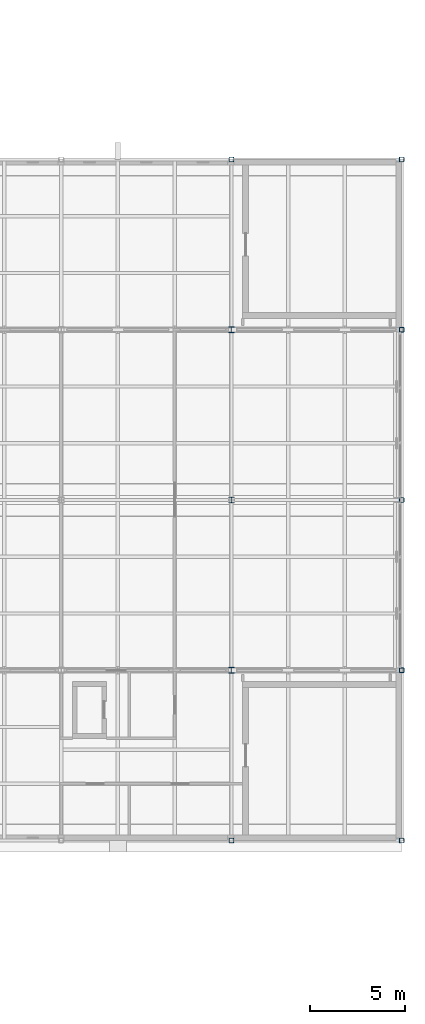
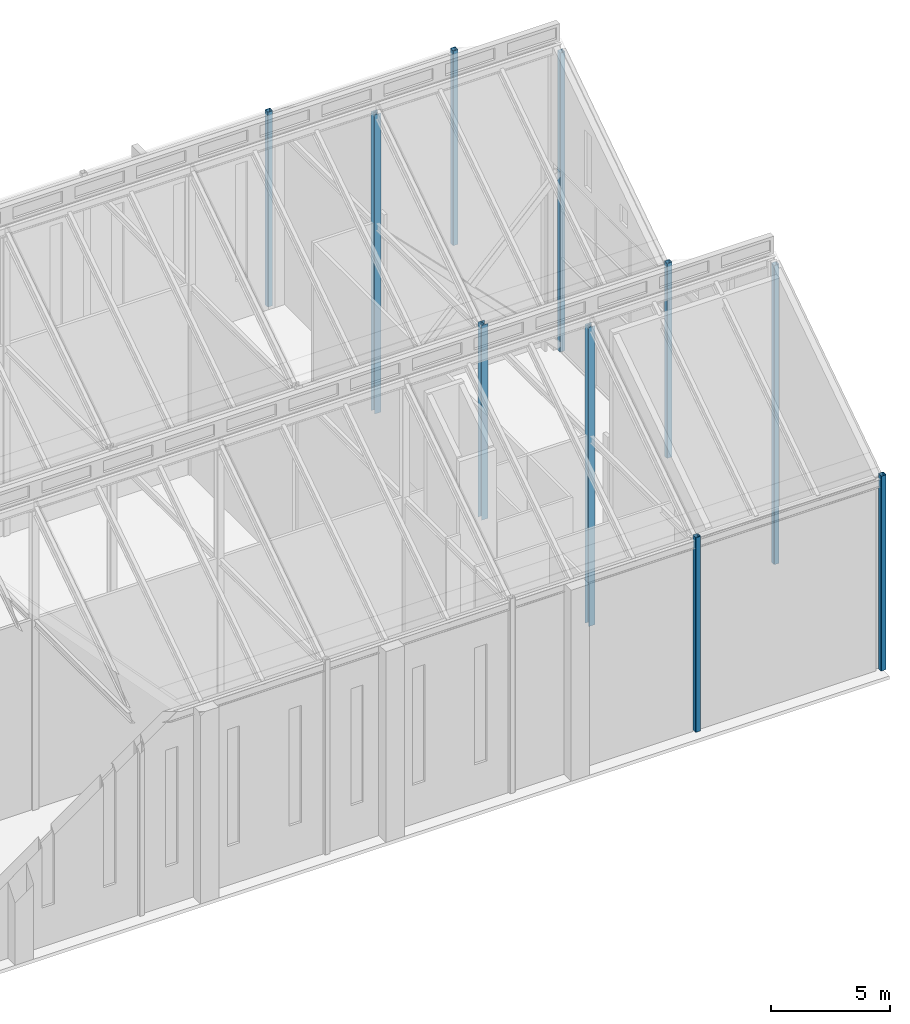
# One storey, part 11 of 111: 10 columns.
"""IFC4 building model written with IfcOpenShell, lengths in metres."""

from ifc_helpers import new_model, si_unit, direction, frame, origin, origin_2d, place, context, subcontext, project, spatial, hollow_rectangle, i_section, extrude, material, material_profile, profile_set, type_object, element, save


model = new_model("IFC4")

# Units and contexts
model_context = context("Model", 3, precision=1e-05, world=origin(), true_north=direction((0.0, 1.0)))
body_context = subcontext(model_context, "Body", "Model", "MODEL_VIEW")
ifc_project = project(units=[si_unit("LENGTHUNIT", "METRE"), si_unit("AREAUNIT", "SQUARE_METRE"), si_unit("VOLUMEUNIT", "CUBIC_METRE"), si_unit("PLANEANGLEUNIT", "RADIAN"), si_unit("MASSUNIT", "GRAM", prefix="KILO")], contexts=[model_context])

# Site, building, storey
site_placement = place(None, origin())
site = spatial("IfcSite", under=ifc_project, at=site_placement, CompositionType="ELEMENT")
building_placement = place(site_placement, origin())
building = spatial("IfcBuilding", under=site, at=building_placement, Name="Shorebreak Coast Museum", CompositionType="ELEMENT")
storey_placement = place(building_placement, frame((0.0, 0.0, 16.0)))
storey = spatial("IfcBuildingStorey", under=building, at=storey_placement, Name="L03", CompositionType="ELEMENT", Elevation=16.0)

# Columns
ifc_material_1 = material(Name="Steel Grade C450L0", Category="steel")
ifc_material_profile_1 = material_profile(ifc_material_1, hollow_rectangle(XDim=0.25, YDim=0.25, WallThickness=0.012451171875, InnerFilletRadius=0.018798828125, OuterFilletRadius=0.03125, at=origin_2d()), Name="250x250x12.5 SHS")
ifc_profile_set_1 = profile_set([ifc_material_profile_1], Name="Steel Grade C450L0")
column_type_1 = type_object("IfcColumnType", Name="Column 250x250x12.5 SHS", PredefinedType="COLUMN", material=ifc_profile_set_1)
for number, where, z_axis, x_axis, name in (
    (1, (162.0, 54.0, 0.0), (0.0, 0.0, 1.0), (1.0, 0.0, 0.0), "Column L03 19G"),
    (2, (171.0, 54.0, 0.0), (0.0, 0.0, 1.0), (1.0, 0.0, 0.0), "Column L03 20G"),
):
    element("IfcColumn", number, at=place(storey_placement, frame(where, z_axis=z_axis, x_axis=x_axis)), inside=storey, type_object=column_type_1, Name=name, PredefinedType="COLUMN", context=body_context, shape_type="SweptSolid", body=[
        extrude(hollow_rectangle(XDim=0.25, YDim=0.25, WallThickness=0.012451171875, InnerFilletRadius=0.018798828125, OuterFilletRadius=0.03125, at=origin_2d()), origin(), (0.0, 0.0, 1.0), 10.0),
    ])
column_1_placement = place(storey_placement, frame((171.0, 63.0, 0.0), z_axis=(0.0, 0.0, 1.0), x_axis=(1.0, 0.0, 0.0)))
element("IfcColumn", 3, at=column_1_placement, inside=storey, type_object=column_type_1, Name="Column L03 20H", PredefinedType="COLUMN", context=body_context, shape_type="SweptSolid", body=[
    extrude(hollow_rectangle(XDim=0.25, YDim=0.25, WallThickness=0.012451171875, InnerFilletRadius=0.018798828125, OuterFilletRadius=0.03125, at=origin_2d()), origin(), (0.0, 0.0, 1.0), 15.353271484375),
])
column_2_placement = place(storey_placement, frame((171.0, 72.0, 0.0), z_axis=(0.0, 0.0, 1.0), x_axis=(1.0, 0.0, 0.0)))
element("IfcColumn", 4, at=column_2_placement, inside=storey, type_object=column_type_1, Name="Column L03 20J", PredefinedType="COLUMN", context=body_context, shape_type="SweptSolid", body=[
    extrude(hollow_rectangle(XDim=0.25, YDim=0.25, WallThickness=0.012451171875, InnerFilletRadius=0.018798828125, OuterFilletRadius=0.03125, at=origin_2d()), origin(), (0.0, 0.0, 1.0), 10.0),
])
column_3_placement = place(storey_placement, frame((171.0, 81.0, 0.0), z_axis=(0.0, 0.0, 1.0), x_axis=(1.0, 0.0, 0.0)))
element("IfcColumn", 5, at=column_3_placement, inside=storey, type_object=column_type_1, Name="Column L03 20K", PredefinedType="COLUMN", context=body_context, shape_type="SweptSolid", body=[
    extrude(hollow_rectangle(XDim=0.25, YDim=0.25, WallThickness=0.012451171875, InnerFilletRadius=0.018798828125, OuterFilletRadius=0.03125, at=origin_2d()), origin(), (0.0, 0.0, 1.0), 15.353271484375),
])
for number, where, z_axis, x_axis, name in (
    (6, (162.0, 90.0, 0.0), (0.0, 0.0, 1.0), (1.0, 0.0, 0.0), "Column L03 19L"),
    (7, (171.0, 90.0, 0.0), (0.0, 0.0, 1.0), (1.0, 0.0, 0.0), "Column L03 20L"),
):
    element("IfcColumn", number, at=place(storey_placement, frame(where, z_axis=z_axis, x_axis=x_axis)), inside=storey, type_object=column_type_1, Name=name, PredefinedType="COLUMN", context=body_context, shape_type="SweptSolid", body=[
        extrude(hollow_rectangle(XDim=0.25, YDim=0.25, WallThickness=0.012451171875, InnerFilletRadius=0.018798828125, OuterFilletRadius=0.03125, at=origin_2d()), origin(), (0.0, 0.0, 1.0), 10.0),
    ])
ifc_material_2 = material(Name="Steel Grade 300", Category="steel")
ifc_material_profile_2 = material_profile(ifc_material_2, i_section(OverallWidth=0.304931640625, OverallDepth=0.30810546875, WebThickness=0.010009765625, FlangeThickness=0.015380859375, FilletRadius=0.0166015625, at=origin_2d()), Name="310UC96.8")
ifc_profile_set_2 = profile_set([ifc_material_profile_2], Name="Steel Grade 300")
column_type_2 = type_object("IfcColumnType", Name="Column 310UC96.8", PredefinedType="COLUMN", material=ifc_profile_set_2)
column_4_placement = place(storey_placement, frame((162.0, 63.0, 0.0), z_axis=(0.0, 0.0, 1.0), x_axis=(1.0, 0.0, 0.0)))
element("IfcColumn", 8, at=column_4_placement, inside=storey, type_object=column_type_2, Name="Column L03 19H", PredefinedType="COLUMN", context=body_context, shape_type="SweptSolid", body=[
    extrude(i_section(OverallWidth=0.304931640625, OverallDepth=0.30810546875, WebThickness=0.010009765625, FlangeThickness=0.015380859375, FilletRadius=0.0166015625, at=origin_2d()), origin(), (0.0, 0.0, 1.0), 15.353271484375),
])
column_5_placement = place(storey_placement, frame((162.0, 72.0, 0.0), z_axis=(0.0, 0.0, 1.0), x_axis=(1.0, 0.0, 0.0)))
element("IfcColumn", 9, at=column_5_placement, inside=storey, type_object=column_type_2, Name="Column L03 19J", PredefinedType="COLUMN", context=body_context, shape_type="SweptSolid", body=[
    extrude(i_section(OverallWidth=0.304931640625, OverallDepth=0.30810546875, WebThickness=0.010009765625, FlangeThickness=0.015380859375, FilletRadius=0.0166015625, at=origin_2d()), origin(), (0.0, 0.0, 1.0), 10.0),
])
column_6_placement = place(storey_placement, frame((162.0, 81.0, 0.0), z_axis=(0.0, 0.0, 1.0), x_axis=(1.0, 0.0, 0.0)))
element("IfcColumn", 10, at=column_6_placement, inside=storey, type_object=column_type_2, Name="Column L03 19K", PredefinedType="COLUMN", context=body_context, shape_type="SweptSolid", body=[
    extrude(i_section(OverallWidth=0.304931640625, OverallDepth=0.30810546875, WebThickness=0.010009765625, FlangeThickness=0.015380859375, FilletRadius=0.0166015625, at=origin_2d()), origin(), (0.0, 0.0, 1.0), 15.353271484375),
])

save(model, "model.ifc")
